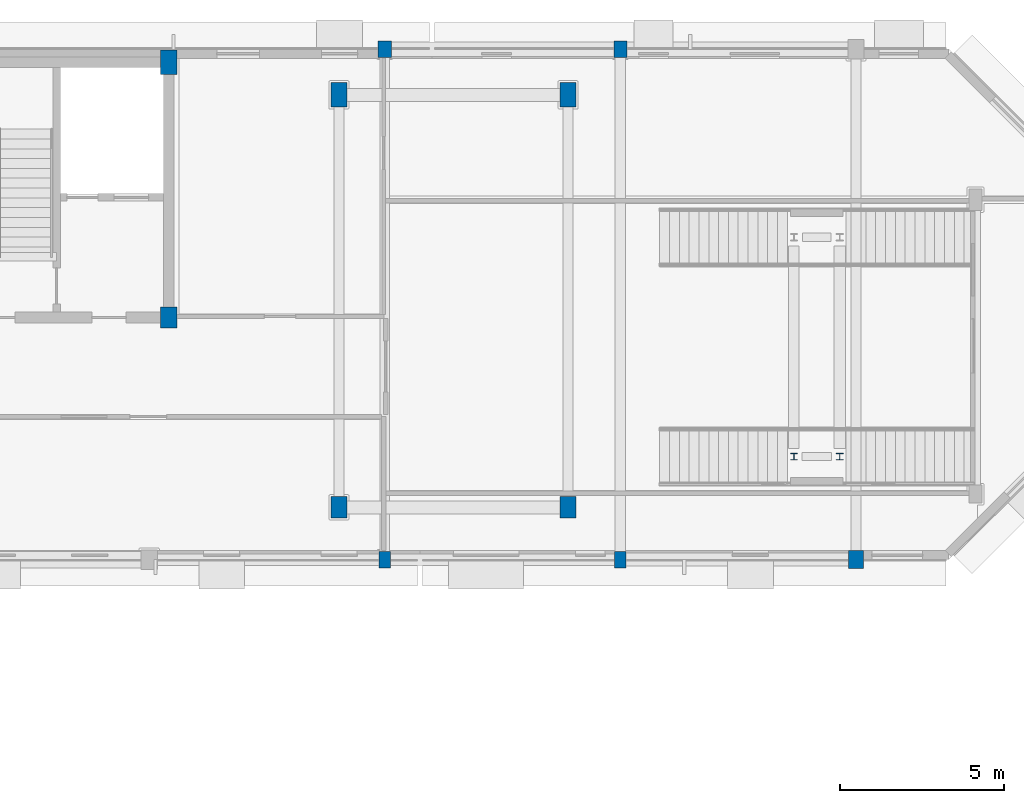
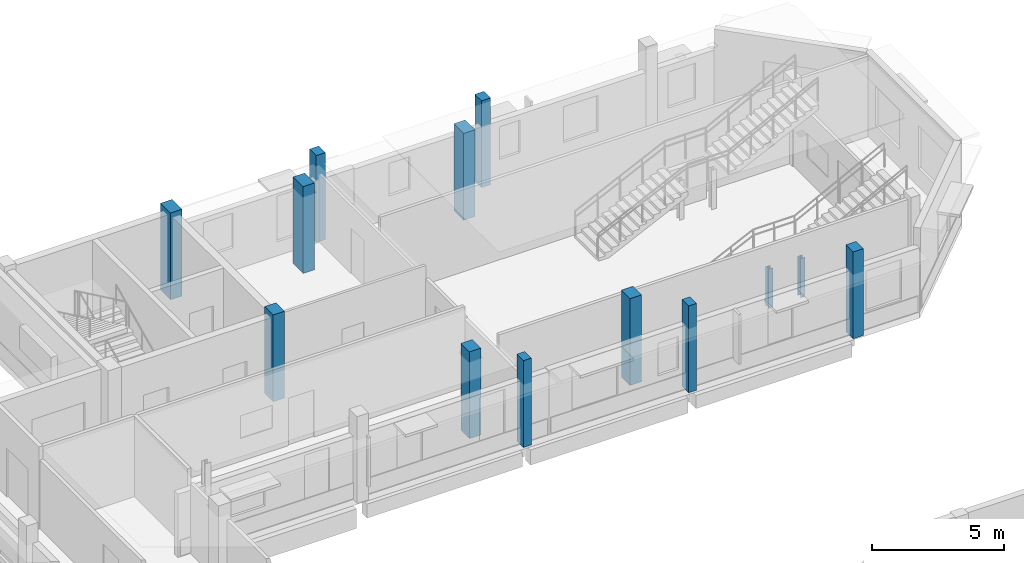
# One storey, part 15 of 92: 13 columns.
"""IFC4 building model written with IfcOpenShell, lengths in metres."""

from ifc_helpers import new_model, si_unit, direction, frame, origin, origin_2d, place, context, subcontext, project, spatial, rectangle, i_section, extrude, material, material_profile, profile_set, type_object, element, save


model = new_model("IFC4")

# Units and contexts
model_context = context("Model", 3, precision=1e-05, world=origin(), true_north=direction((0.0, 1.0)))
body_context = subcontext(model_context, "Body", "Model", "MODEL_VIEW")
ifc_project = project(units=[si_unit("LENGTHUNIT", "METRE"), si_unit("AREAUNIT", "SQUARE_METRE"), si_unit("VOLUMEUNIT", "CUBIC_METRE"), si_unit("PLANEANGLEUNIT", "RADIAN"), si_unit("MASSUNIT", "GRAM", prefix="KILO")], contexts=[model_context])

# Site, building, storey
site_placement = place(None, origin())
site = spatial("IfcSite", under=ifc_project, at=site_placement, CompositionType="ELEMENT")
building_placement = place(site_placement, origin())
building = spatial("IfcBuilding", under=site, at=building_placement, Name="Kelanivale Promenade Academy", CompositionType="ELEMENT")
storey_placement = place(building_placement, frame((0.0, 0.0, 8.199951171875)))
storey = spatial("IfcBuildingStorey", under=building, at=storey_placement, Name="L02", CompositionType="ELEMENT", Elevation=8.199951171875)

# Columns
ifc_material_1 = material(Name="Concrete C40/50", Category="concrete")
ifc_material_profile_1 = material_profile(ifc_material_1, rectangle(XDim=0.5, YDim=0.64990234375, at=origin_2d()), Name="RC-COL 500x650")
ifc_profile_set_1 = profile_set([ifc_material_profile_1], Name="Concrete C40/50")
column_type_1 = type_object("IfcColumnType", Name="C-11 RC-COL 500x650", PredefinedType="COLUMN", material=ifc_profile_set_1)
for number, where, z_axis, x_axis, name in (
    (1, (130.60009765625, 103.800048828125, 0.0), (0.0, 0.0, 1.0), (1.0, 0.0, 0.0), "Column C-11 at (130.6, 103.8) L02"),
    (2, (135.800048828125, 98.0, 0.0), (0.0, 0.0, 1.0), (1.0, 0.0, 0.0), "Column C-11 at (135.8, 98.0) L02"),
    (3, (142.800048828125, 98.0, 0.0), (0.0, 0.0, 1.0), (1.0, 0.0, 0.0), "Column C-11 at (142.8, 98.0) L02"),
):
    element("IfcColumn", number, at=place(storey_placement, frame(where, z_axis=z_axis, x_axis=x_axis)), inside=storey, type_object=column_type_1, Name=name, PredefinedType="COLUMN", context=body_context, shape_type="SweptSolid", body=[
        extrude(rectangle(XDim=0.5, YDim=0.64990234375, at=origin_2d()), origin(), (0.0, 0.0, 1.0), 4.0),
    ])
ifc_material_profile_2 = material_profile(ifc_material_1, rectangle(XDim=0.5, YDim=0.75, at=origin_2d()), Name="RC-COL 500x750")
ifc_profile_set_2 = profile_set([ifc_material_profile_2], Name="Concrete C40/50")
column_type_2 = type_object("IfcColumnType", Name="C-12 RC-COL 500x750", PredefinedType="COLUMN", material=ifc_profile_set_2)
for number, where, z_axis, x_axis, name in (
    (4, (130.60009765625, 111.60009765625, 0.0), (0.0, 0.0, 1.0), (1.0, 0.0, 0.0), "Column C-12 at (130.6, 111.6) L02"),
    (5, (135.800048828125, 110.60009765625, 0.0), (0.0, 0.0, 1.0), (1.0, 0.0, 0.0), "Column C-12 at (135.8, 110.6) L02"),
    (6, (142.800048828125, 110.60009765625, 0.0), (0.0, 0.0, 1.0), (1.0, 0.0, 0.0), "Column C-12 at (142.8, 110.6) L02"),
):
    element("IfcColumn", number, at=place(storey_placement, frame(where, z_axis=z_axis, x_axis=x_axis)), inside=storey, type_object=column_type_2, Name=name, PredefinedType="COLUMN", context=body_context, shape_type="SweptSolid", body=[
        extrude(rectangle(XDim=0.5, YDim=0.75, at=origin_2d()), origin(), (0.0, 0.0, 1.0), 4.0),
    ])
ifc_material_profile_3 = material_profile(ifc_material_1, rectangle(XDim=0.35009765625, YDim=0.5, at=origin_2d()), Name="RC-PIL 350x500")
ifc_profile_set_3 = profile_set([ifc_material_profile_3], Name="Concrete C40/50")
column_type_3 = type_object("IfcColumnType", Name="PL-15 RC-PIL 350x500", PredefinedType="PILASTER", material=ifc_profile_set_3)
for number, where, z_axis, x_axis, name in (
    (7, (137.199951171875, 96.39990234375, 0.0), (0.0, 0.0, 1.0), (1.0, 0.0, 0.0), "Column PL-15 at (137.2, 96.4) L02"),
    (8, (144.39990234375, 96.39990234375, 0.0), (0.0, 0.0, 1.0), (1.0, 0.0, 0.0), "Column PL-15 at (144.4, 96.4) L02"),
):
    element("IfcColumn", number, at=place(storey_placement, frame(where, z_axis=z_axis, x_axis=x_axis)), inside=storey, type_object=column_type_3, Name=name, PredefinedType="PILASTER", context=body_context, shape_type="SweptSolid", body=[
        extrude(rectangle(XDim=0.35009765625, YDim=0.5, at=origin_2d()), origin(), (0.0, 0.0, 1.0), 4.0),
    ])
ifc_material_profile_4 = material_profile(ifc_material_1, rectangle(XDim=0.39990234375, YDim=0.5, at=origin_2d()), Name="RC-PIL 400x500")
ifc_profile_set_4 = profile_set([ifc_material_profile_4], Name="Concrete C40/50")
column_type_4 = type_object("IfcColumnType", Name="PL-16 RC-PIL 400x500", PredefinedType="PILASTER", material=ifc_profile_set_4)
for number, where, z_axis, x_axis, name in (
    (9, (137.199951171875, 112.0, 0.0), (0.0, 0.0, 1.0), (1.0, 0.0, 0.0), "Column PL-16 at (137.2, 112.0) L02"),
    (10, (144.39990234375, 112.0, 0.0), (0.0, 0.0, 1.0), (1.0, 0.0, 0.0), "Column PL-16 at (144.4, 112.0) L02"),
):
    element("IfcColumn", number, at=place(storey_placement, frame(where, z_axis=z_axis, x_axis=x_axis)), inside=storey, type_object=column_type_4, Name=name, PredefinedType="PILASTER", context=body_context, shape_type="SweptSolid", body=[
        extrude(rectangle(XDim=0.39990234375, YDim=0.5, at=origin_2d()), origin(), (0.0, 0.0, 1.0), 4.0),
    ])
ifc_material_profile_5 = material_profile(ifc_material_1, rectangle(XDim=0.449951171875, YDim=0.550048828125, at=origin_2d()), Name="RC-PIL 450x550")
ifc_profile_set_5 = profile_set([ifc_material_profile_5], Name="Concrete C40/50")
column_type_5 = type_object("IfcColumnType", Name="PL-17 RC-PIL 450x550", PredefinedType="PILASTER", material=ifc_profile_set_5)
column_placement = place(storey_placement, frame((151.60009765625, 96.39990234375, 0.0), z_axis=(0.0, 0.0, 1.0), x_axis=(1.0, 0.0, 0.0)))
element("IfcColumn", 11, at=column_placement, inside=storey, type_object=column_type_5, Name="Column PL-17 at (151.6, 96.4) L02", PredefinedType="PILASTER", context=body_context, shape_type="SweptSolid", body=[
    extrude(rectangle(XDim=0.449951171875, YDim=0.550048828125, at=origin_2d()), origin(), (0.0, 0.0, 1.0), 4.0),
])
ifc_material_2 = material(Name="Steel S355", Category="steel")
ifc_material_profile_6 = material_profile(ifc_material_2, i_section(OverallWidth=0.204345703125, OverallDepth=0.206298828125, WebThickness=0.0078125, FlangeThickness=0.012451171875, FilletRadius=0.01025390625, at=origin_2d()), Name="UC 203x203x52")
ifc_profile_set_6 = profile_set([ifc_material_profile_6], Name="Steel S355")
column_type_6 = type_object("IfcColumnType", Name="SC-01 UC 203x203x52", PredefinedType="COLUMN", material=ifc_profile_set_6)
for number, where, z_axis, x_axis, name in (
    (12, (149.699951171875, 99.550048828125, 0.0), (0.0, 0.0, 1.0), (1.0, 0.0, 0.0), "Library stair ST-07 landing support post"),
    (13, (151.10009765625, 99.550048828125, 0.0), (0.0, 0.0, 1.0), (1.0, 0.0, 0.0), "Library stair ST-07 landing support post"),
):
    element("IfcColumn", number, at=place(storey_placement, frame(where, z_axis=z_axis, x_axis=x_axis)), inside=storey, type_object=column_type_6, Name=name, PredefinedType="COLUMN", context=body_context, shape_type="SweptSolid", body=[
        extrude(i_section(OverallWidth=0.204345703125, OverallDepth=0.206298828125, WebThickness=0.0078125, FlangeThickness=0.012451171875, FilletRadius=0.01025390625, at=origin_2d()), origin(), (0.0, 0.0, 1.0), 1.81005859375),
    ])

save(model, "model.ifc")
